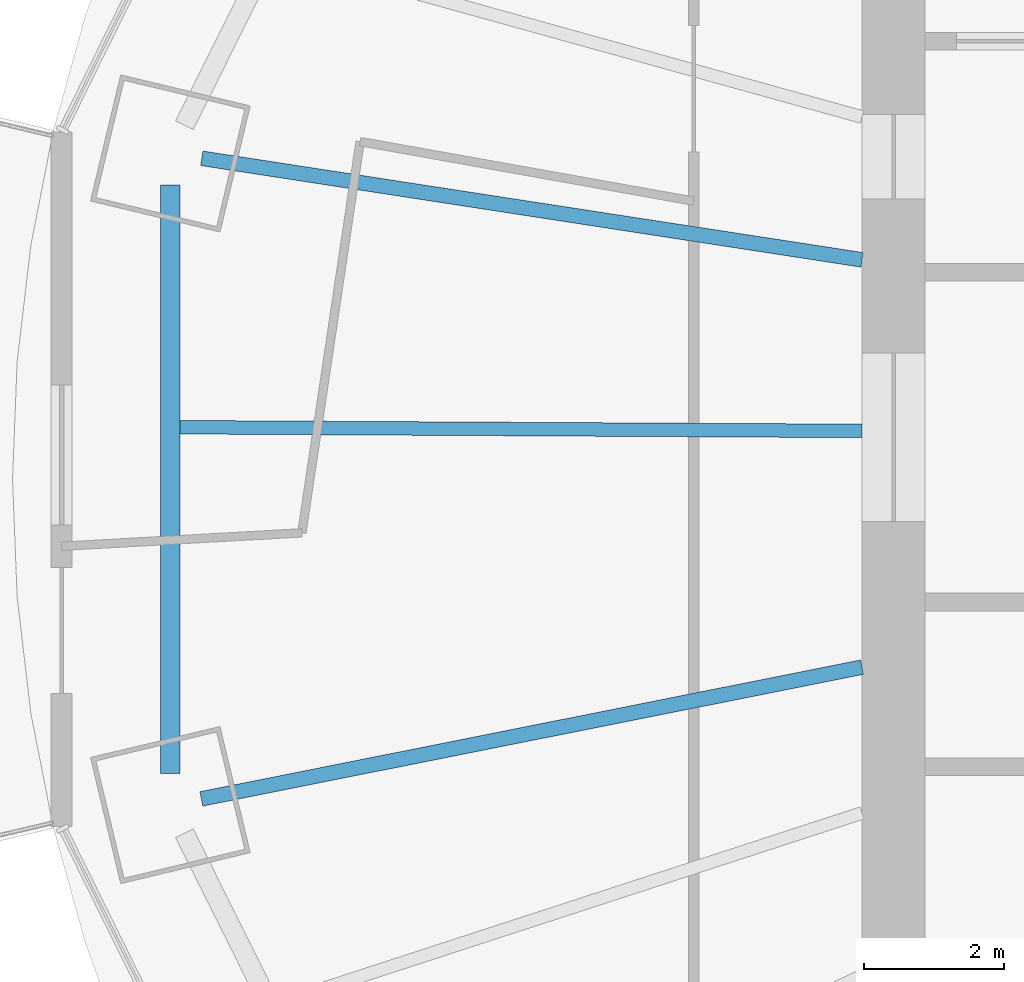
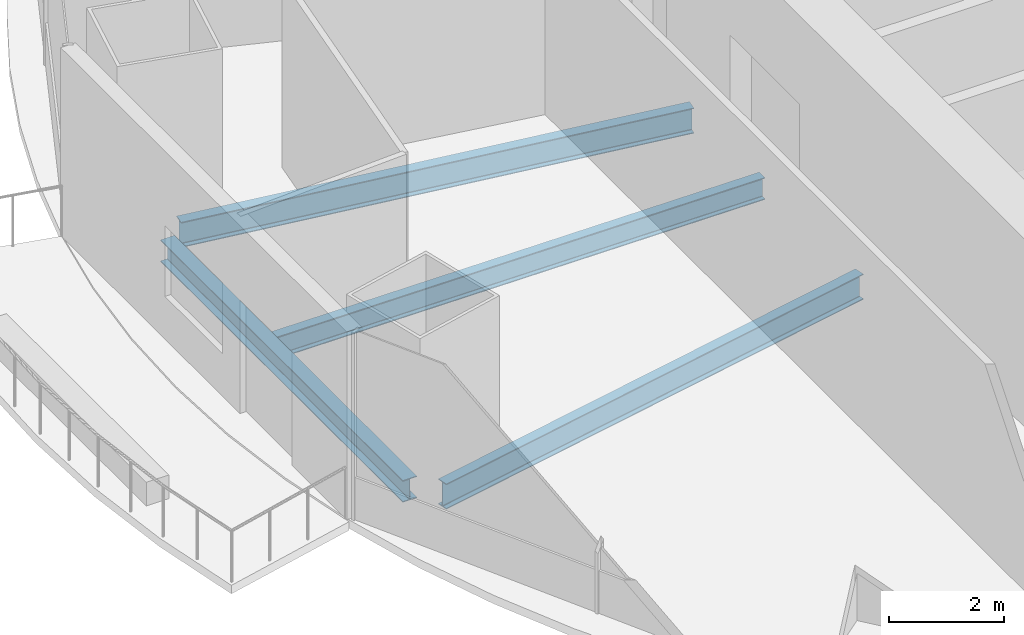
# One storey, part 3 of 19: 4 beams.
"""IFC4 building model written with IfcOpenShell, lengths in metres."""

from ifc_helpers import new_model, si_unit, direction, frame, origin, origin_2d, place, context, subcontext, project, spatial, i_section, extrude, material, material_profile, profile_set, type_object, element, save


model = new_model("IFC4")

# Units and contexts
model_context = context("Model", 3, precision=1e-05, world=origin(), true_north=direction((0.0, 1.0)))
body_context = subcontext(model_context, "Body", "Model", "MODEL_VIEW")
ifc_project = project(units=[si_unit("LENGTHUNIT", "METRE"), si_unit("AREAUNIT", "SQUARE_METRE"), si_unit("VOLUMEUNIT", "CUBIC_METRE"), si_unit("PLANEANGLEUNIT", "RADIAN"), si_unit("MASSUNIT", "GRAM", prefix="KILO")], contexts=[model_context])

# Site, building, storey
site_placement = place(None, origin())
site = spatial("IfcSite", under=ifc_project, at=site_placement, CompositionType="ELEMENT")
building_placement = place(site_placement, origin())
building = spatial("IfcBuilding", under=site, at=building_placement, Name="Marenthal Gate Tower", CompositionType="ELEMENT")
storey_placement = place(building_placement, frame((0.0, 0.0, 239.89990234375)))
storey = spatial("IfcBuildingStorey", under=building, at=storey_placement, Name="L53", CompositionType="ELEMENT", Elevation=239.89990234375)

# Beams
ifc_material_1 = material(Name="Steel S355", Category="steel")
ifc_material_profile_1 = material_profile(ifc_material_1, i_section(OverallWidth=0.279052734375, OverallDepth=0.4619140625, WebThickness=0.0107421875, FlangeThickness=0.017333984375, FilletRadius=0.010009765625, at=origin_2d()), Name="W460X113")
ifc_profile_set_1 = profile_set([ifc_material_profile_1], Name="Steel S355")
beam_type_1 = type_object("IfcBeamType", Name="W460X113 beam", PredefinedType="BEAM", material=ifc_profile_set_1)
beam_1_placement = place(storey_placement, frame((-26.314208984375, 3.595703125, -0.410888671875), z_axis=(0.0, -1.0, 0.0), x_axis=(1.0, 0.0, 0.0)))
element("IfcBeam", 1, at=beam_1_placement, inside=storey, type_object=beam_type_1, Name="BM-L53-48", PredefinedType="BEAM", context=body_context, shape_type="SweptSolid", body=[
    extrude(i_section(OverallWidth=0.279052734375, OverallDepth=0.4619140625, WebThickness=0.0107421875, FlangeThickness=0.017333984375, FilletRadius=0.010009765625, at=origin_2d()), origin(), (0.0, 0.0, 1.0), 8.3916015625),
])
ifc_material_2 = material(Name="Steel S355", Category="steel")
ifc_material_profile_2 = material_profile(ifc_material_2, i_section(OverallWidth=0.193115234375, OverallDepth=0.467041015625, WebThickness=0.011474609375, FlangeThickness=0.01904296875, FilletRadius=0.010009765625, at=origin_2d()), Name="W460X97")
ifc_profile_set_2 = profile_set([ifc_material_profile_2], Name="Steel S355")
beam_type_2 = type_object("IfcBeamType", Name="W460X97 beam", PredefinedType="BEAM", material=ifc_profile_set_2)
beam_2_placement = place(storey_placement, frame((-26.1748046875, 0.142578125, -0.413330078125), z_axis=(0.999985161371, -0.005447663496, 0.0), x_axis=(0.005447663496, 0.999985161371, 0.0)))
element("IfcBeam", 2, at=beam_2_placement, inside=storey, type_object=beam_type_2, Name="BM-L53-28", PredefinedType="BEAM", context=body_context, shape_type="SweptSolid", body=[
    extrude(i_section(OverallWidth=0.193115234375, OverallDepth=0.467041015625, WebThickness=0.011474609375, FlangeThickness=0.01904296875, FilletRadius=0.010009765625, at=origin_2d()), origin(), (0.0, 0.0, 1.0), 9.72509765625),
])
ifc_material_3 = material(Name="Steel S355", Category="steel")
ifc_material_profile_3 = material_profile(ifc_material_3, i_section(OverallWidth=0.2099609375, OverallDepth=0.535888671875, WebThickness=0.010986328125, FlangeThickness=0.017333984375, FilletRadius=0.0126953125, at=origin_2d()), Name="W530X101")
ifc_profile_set_3 = profile_set([ifc_material_profile_3], Name="Steel S355")
beam_type_3 = type_object("IfcBeamType", Name="W530X101 beam", PredefinedType="BEAM", material=ifc_profile_set_3)
beam_3_placement = place(storey_placement, frame((-25.8662109375, 3.97802734375, -0.447998046875), z_axis=(0.988378214398, -0.152014819358, 0.0), x_axis=(0.152014819358, 0.988378214398, 0.0)))
element("IfcBeam", 3, at=beam_3_placement, inside=storey, type_object=beam_type_3, Name="BM-L53-08", PredefinedType="BEAM", context=body_context, shape_type="SweptSolid", body=[
    extrude(i_section(OverallWidth=0.2099609375, OverallDepth=0.535888671875, WebThickness=0.010986328125, FlangeThickness=0.017333984375, FilletRadius=0.0126953125, at=origin_2d()), origin(), (0.0, 0.0, 1.0), 9.527099609375),
])
beam_4_placement = place(storey_placement, frame((-25.872314453125, -5.15869140625, -0.447998046875), z_axis=(0.980696805639, 0.19553458878, 0.0), x_axis=(-0.19553458878, 0.980696805639, 0.0)))
element("IfcBeam", 4, at=beam_4_placement, inside=storey, type_object=beam_type_3, Name="BM-L53-09", PredefinedType="BEAM", context=body_context, shape_type="SweptSolid", body=[
    extrude(i_section(OverallWidth=0.2099609375, OverallDepth=0.535888671875, WebThickness=0.010986328125, FlangeThickness=0.017333984375, FilletRadius=0.0126953125, at=origin_2d()), origin(), (0.0, 0.0, 1.0), 9.60791015625),
])

save(model, "model.ifc")
